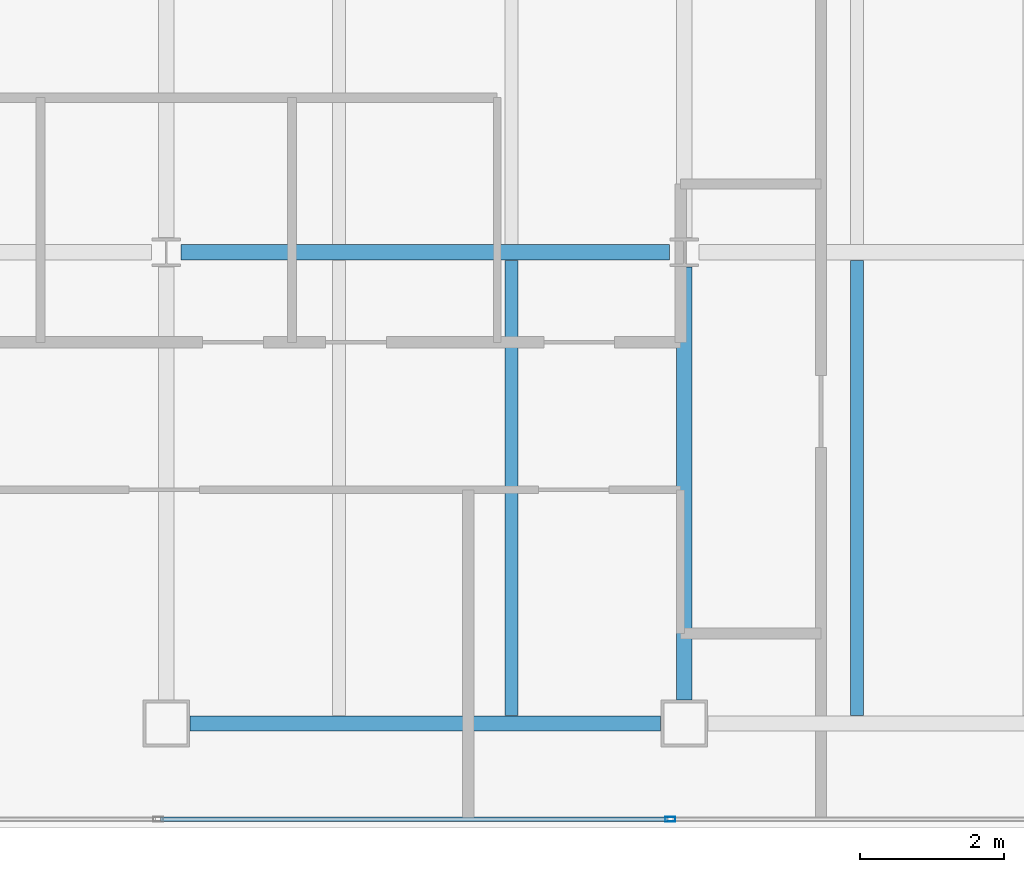
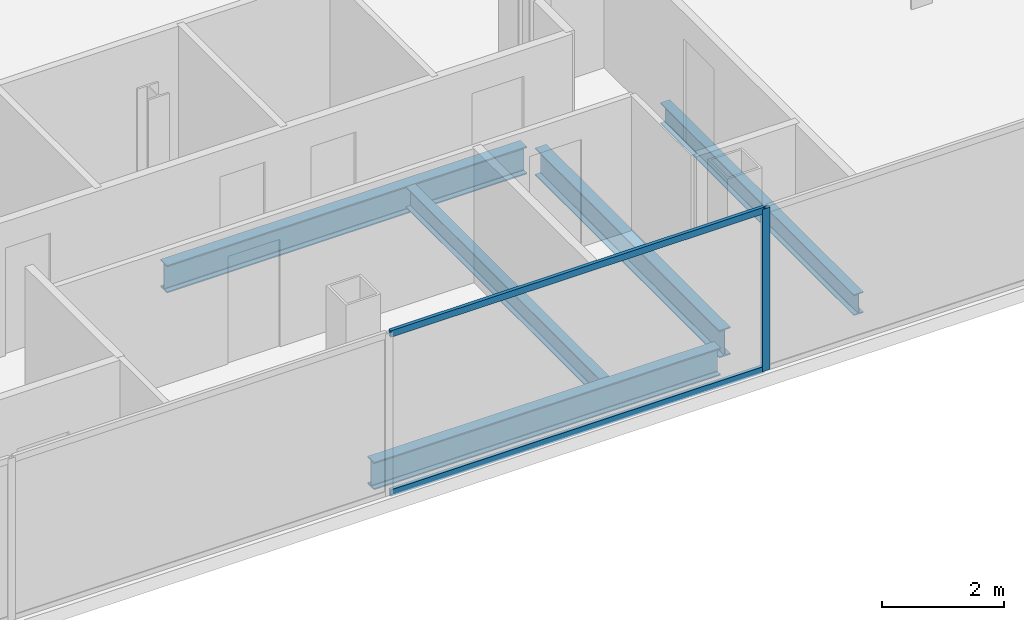
# One storey, part 6 of 23: 5 beams, 3 members, 1 element without a shape of its own.
"""IFC4 building model written with IfcOpenShell, lengths in metres."""

from ifc_helpers import new_model, si_unit, direction, frame, origin, origin_2d, place, context, subcontext, project, spatial, hollow_rectangle, i_section, extrude, material, material_profile, profile_set, type_object, element, aggregate, save


model = new_model("IFC4")

# Units and contexts
model_context = context("Model", 3, precision=1e-05, world=origin(), true_north=direction((0.0, 1.0)))
body_context = subcontext(model_context, "Body", "Model", "MODEL_VIEW")
ifc_project = project(units=[si_unit("LENGTHUNIT", "METRE"), si_unit("AREAUNIT", "SQUARE_METRE"), si_unit("VOLUMEUNIT", "CUBIC_METRE"), si_unit("PLANEANGLEUNIT", "RADIAN"), si_unit("MASSUNIT", "GRAM", prefix="KILO")], contexts=[model_context])

# Site, building, storey
site_placement = place(None, origin())
site = spatial("IfcSite", under=ifc_project, at=site_placement, CompositionType="ELEMENT")
building_placement = place(site_placement, origin())
building = spatial("IfcBuilding", under=site, at=building_placement, Name="Cobrela Telecom Tower", CompositionType="ELEMENT")
storey_placement = place(building_placement, frame((0.0, 0.0, 276.14990234375)))
storey = spatial("IfcBuildingStorey", under=building, at=storey_placement, Name="L72", CompositionType="ELEMENT", Elevation=276.14990234375)

# Beams
ifc_material_1 = material(Name="Steel ASTM A992 Grade 50", Category="steel")
ifc_material_profile_1 = material_profile(ifc_material_1, i_section(OverallWidth=0.212890625, OverallDepth=0.549072265625, WebThickness=0.0146484375, FlangeThickness=0.023681640625, FilletRadius=0.013916015625, at=origin_2d()), Name="W21X93")
ifc_profile_set_1 = profile_set([ifc_material_profile_1], Name="Steel ASTM A992 Grade 50")
beam_type_1 = type_object("IfcBeamType", Name="BM-GIRD-08", PredefinedType="USERDEFINED", material=ifc_profile_set_1)
beam_1_placement = place(storey_placement, frame((21.929931640625, 7.85009765625, -0.534423828125), z_axis=(1.0, 0.0, 0.0), x_axis=(0.0, 1.0, 0.0)))
element("IfcBeam", 1, at=beam_1_placement, inside=storey, type_object=beam_type_1, Name="L72 Primary Girder X03", ObjectType="GIRDER", PredefinedType="USERDEFINED", context=body_context, shape_type="SweptSolid", body=[
    extrude(i_section(OverallWidth=0.212890625, OverallDepth=0.549072265625, WebThickness=0.0146484375, FlangeThickness=0.023681640625, FilletRadius=0.013916015625, at=origin_2d()), origin(), (0.0, 0.0, 1.0), 6.5400390625),
])
beam_2_placement = place(storey_placement, frame((21.804443359375, 14.39990234375, -0.534423828125), z_axis=(1.0, 0.0, 0.0), x_axis=(0.0, 1.0, 0.0)))
element("IfcBeam", 2, at=beam_2_placement, inside=storey, type_object=beam_type_1, Name="L72 Primary Girder X06", ObjectType="GIRDER", PredefinedType="USERDEFINED", context=body_context, shape_type="SweptSolid", body=[
    extrude(i_section(OverallWidth=0.212890625, OverallDepth=0.549072265625, WebThickness=0.0146484375, FlangeThickness=0.023681640625, FilletRadius=0.013916015625, at=origin_2d()), origin(), (0.0, 0.0, 1.0), 6.791015625),
])
beam_3_placement = place(storey_placement, frame((28.800048828125, 8.179931640625, -0.534423828125), z_axis=(0.0, 1.0, 0.0), x_axis=(-1.0, 0.0, 0.0)))
element("IfcBeam", 3, at=beam_3_placement, inside=storey, type_object=beam_type_1, Name="L72 Primary Girder Y29", ObjectType="GIRDER", PredefinedType="USERDEFINED", context=body_context, shape_type="SweptSolid", body=[
    extrude(i_section(OverallWidth=0.212890625, OverallDepth=0.549072265625, WebThickness=0.0146484375, FlangeThickness=0.023681640625, FilletRadius=0.013916015625, at=origin_2d()), origin(), (0.0, 0.0, 1.0), 6.015625),
])
ifc_material_profile_2 = material_profile(ifc_material_1, i_section(OverallWidth=0.179931640625, OverallDepth=0.4169921875, WebThickness=0.010986328125, FlangeThickness=0.01806640625, FilletRadius=0.011962890625, at=origin_2d()), Name="W16X57")
ifc_profile_set_2 = profile_set([ifc_material_profile_2], Name="Steel ASTM A992 Grade 50")
beam_type_2 = type_object("IfcBeamType", Name="BM-JOIST-04", PredefinedType="JOIST", material=ifc_profile_set_2)
for number, where, z_axis, x_axis, name in (
    (4, (26.39990234375, 7.96142578125, -0.468505859375), (0.0, 1.0, 0.0), (-1.0, 0.0, 0.0), "L72 Secondary Composite Floor Beam J09"),
    (5, (31.199951171875, 7.96142578125, -0.468505859375), (0.0, 1.0, 0.0), (-1.0, 0.0, 0.0), "L72 Secondary Composite Floor Beam J11"),
):
    element("IfcBeam", number, at=place(storey_placement, frame(where, z_axis=z_axis, x_axis=x_axis)), inside=storey, type_object=beam_type_2, Name=name, PredefinedType="JOIST", context=body_context, shape_type="SweptSolid", body=[
        extrude(i_section(OverallWidth=0.179931640625, OverallDepth=0.4169921875, WebThickness=0.010986328125, FlangeThickness=0.01806640625, FilletRadius=0.011962890625, at=origin_2d()), origin(), (0.0, 0.0, 1.0), 6.3271484375),
    ])

# Curtain wall, members
ifc_material_2 = material(Name="Anodized Bronze Aluminium 6063-T6", Category="aluminium")
curtain_wall_type = type_object("IfcCurtainWallType", Name="CW-SYS-OFF-HI", PredefinedType="USERDEFINED", material=ifc_material_2)
curtain_wall_placement = place(storey_placement, origin())
curtain_wall = element("IfcCurtainWall", 6, at=curtain_wall_placement, inside=storey, type_object=curtain_wall_type, Name="L72 Unitised Bronze Curtain Wall 15", ObjectType="UNITISED CURTAIN WALL", PredefinedType="USERDEFINED")
ifc_material_profile_3 = material_profile(ifc_material_2, hollow_rectangle(XDim=0.070068359375, YDim=0.139892578125, WallThickness=0.00390625, at=origin_2d()), Name="ALU 70x140x4")
ifc_profile_set_3 = profile_set([ifc_material_profile_3], Name="Anodized Bronze Aluminium 6063-T6")
member_type_1 = type_object("IfcMemberType", Name="CW-SYS-OFF-HI-MUL", PredefinedType="MULLION", material=ifc_profile_set_3)
member_1_placement = place(storey_placement, frame((28.606689453125, 6.52001953125, 0.0), z_axis=(0.0, 0.0, 1.0), x_axis=(0.0, -1.0, 0.0)))
member_1 = element("IfcMember", 7, at=member_1_placement, type_object=member_type_1, Name="CW-OFF-HI mullion 3", PredefinedType="MULLION", context=body_context, shape_type="SweptSolid", body=[
    extrude(hollow_rectangle(XDim=0.070068359375, YDim=0.139892578125, WallThickness=0.00390625, at=origin_2d()), origin(), (0.0, 0.0, 1.0), 3.239990234375),
])
ifc_material_profile_4 = material_profile(ifc_material_2, hollow_rectangle(XDim=0.06494140625, YDim=0.1298828125, WallThickness=0.00390625, at=origin_2d()), Name="ALU 65x130x4")
ifc_profile_set_4 = profile_set([ifc_material_profile_4], Name="Anodized Bronze Aluminium 6063-T6")
member_type_2 = type_object("IfcMemberType", Name="CW-SYS-OFF-HI-TRN", PredefinedType="USERDEFINED", material=ifc_profile_set_4)
member_2_placement = place(storey_placement, frame((28.57177734375, 6.52001953125, 0.03271484375), z_axis=(-1.0, 0.0, 0.0), x_axis=(0.0, -1.0, 0.0)))
member_2 = element("IfcMember", 8, at=member_2_placement, type_object=member_type_2, Name="CW-OFF-HI transom 3.1", ObjectType="TRANSOM", PredefinedType="USERDEFINED", context=body_context, shape_type="SweptSolid", body=[
    extrude(hollow_rectangle(XDim=0.06494140625, YDim=0.1298828125, WallThickness=0.00390625, at=origin_2d()), origin(), (0.0, 0.0, 1.0), 7.0517578125),
])
member_3_placement = place(storey_placement, frame((28.57177734375, 6.52001953125, 3.20751953125), z_axis=(-1.0, 0.0, 0.0), x_axis=(0.0, -1.0, 0.0)))
member_3 = element("IfcMember", 9, at=member_3_placement, type_object=member_type_2, Name="CW-OFF-HI transom 3.2", ObjectType="TRANSOM", PredefinedType="USERDEFINED", context=body_context, shape_type="SweptSolid", body=[
    extrude(hollow_rectangle(XDim=0.06494140625, YDim=0.1298828125, WallThickness=0.00390625, at=origin_2d()), origin(), (0.0, 0.0, 1.0), 7.0517578125),
])
aggregate(curtain_wall, [member_1, member_2, member_3])

save(model, "model.ifc")
